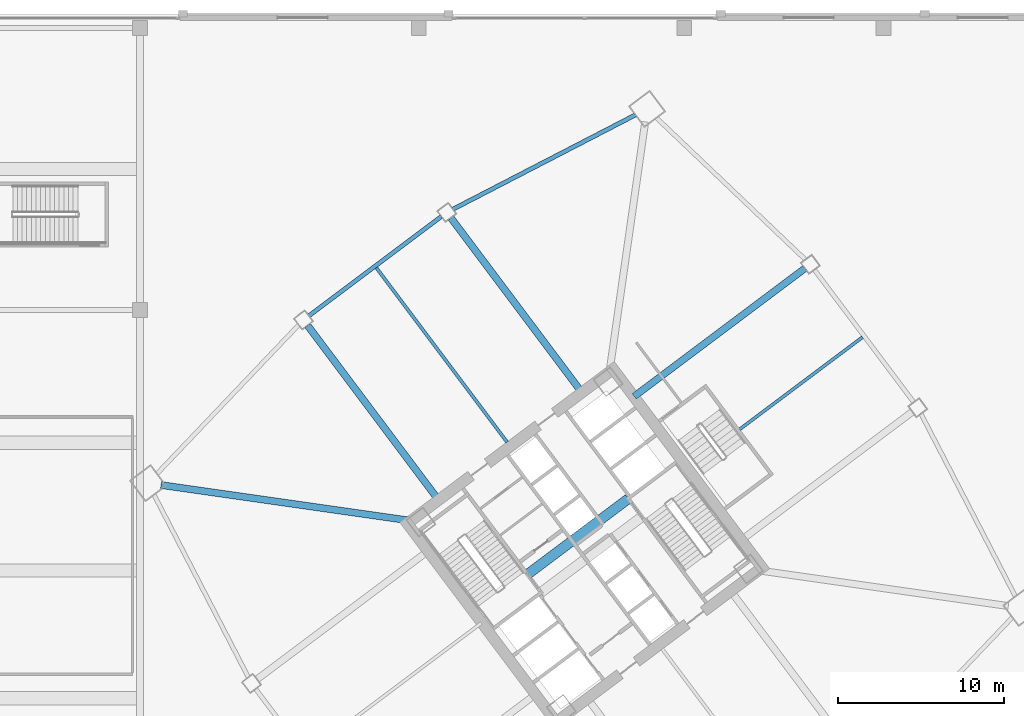
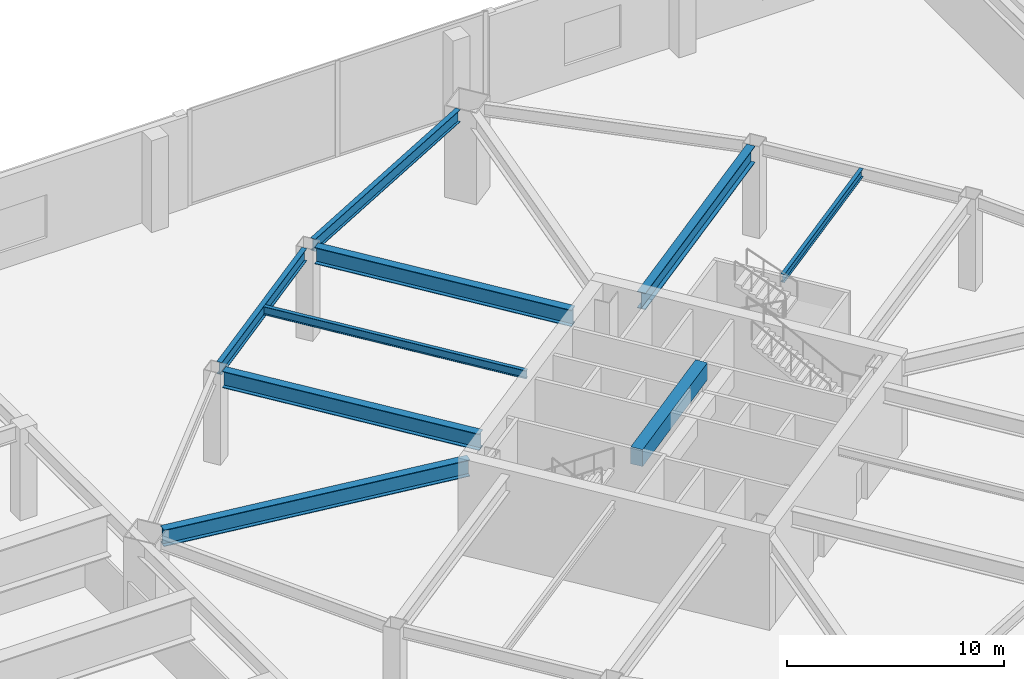
# One storey, part 24 of 48: 9 beams.
"""IFC4 building model written with IfcOpenShell, lengths in metres."""

from ifc_helpers import new_model, si_unit, direction, frame, origin, origin_2d, place, context, subcontext, project, spatial, rectangle, i_section, extrude, material, material_profile, profile_set, type_object, element, save


model = new_model("IFC4")

# Units and contexts
model_context = context("Model", 3, precision=1e-05, world=origin(), true_north=direction((0.0, 1.0)))
body_context = subcontext(model_context, "Body", "Model", "MODEL_VIEW")
ifc_project = project(units=[si_unit("LENGTHUNIT", "METRE"), si_unit("AREAUNIT", "SQUARE_METRE"), si_unit("VOLUMEUNIT", "CUBIC_METRE"), si_unit("PLANEANGLEUNIT", "RADIAN"), si_unit("MASSUNIT", "GRAM", prefix="KILO")], contexts=[model_context])

# Site, building, storey
site_placement = place(None, origin())
site = spatial("IfcSite", under=ifc_project, at=site_placement, CompositionType="ELEMENT")
building_placement = place(site_placement, origin())
building = spatial("IfcBuilding", under=site, at=building_placement, Name="Tashvorn Skyway Center", CompositionType="ELEMENT")
storey_placement = place(building_placement, frame((0.0, 0.0, 10.199951171875)))
storey = spatial("IfcBuildingStorey", under=building, at=storey_placement, Name="L02", CompositionType="ELEMENT", Elevation=10.199951171875)

# Beams
ifc_material_1 = material(Name="Steel ASTM A913 Grade 65", Category="steel")
ifc_material_profile_1 = material_profile(ifc_material_1, i_section(OverallWidth=0.4189453125, OverallDepth=0.927001953125, WebThickness=0.019287109375, FlangeThickness=0.031982421875, at=origin_2d()), Name="W36X231")
ifc_profile_set_1 = profile_set([ifc_material_profile_1], Name="Steel ASTM A913 Grade 65")
beam_type_1 = type_object("IfcBeamType", Name="BM-BEAM-W36X231", PredefinedType="BEAM", material=ifc_profile_set_1)
beam_1_placement = place(storey_placement, frame((88.467041015625, 35.6474609375, 4.676513671875), z_axis=(0.989950458816, -0.141414599991, 0.0), x_axis=(0.141414599991, 0.989950458816, 0.0)))
element("IfcBeam", 1, at=beam_1_placement, inside=storey, type_object=beam_type_1, Name="Tower 2 L02 Primary Floor Girder MC-NW", PredefinedType="BEAM", context=body_context, shape_type="SweptSolid", body=[
    extrude(i_section(OverallWidth=0.4189453125, OverallDepth=0.927001953125, WebThickness=0.019287109375, FlangeThickness=0.031982421875, at=origin_2d()), origin(), (0.0, 0.0, 1.0), 15.177001953125),
])
beam_2_placement = place(storey_placement, frame((127.263916015625, 48.697998046875, 4.676513671875), z_axis=(-0.800002279907, -0.599996960112, 0.0), x_axis=(0.599996960112, -0.800002279907, 0.0)))
element("IfcBeam", 2, at=beam_2_placement, inside=storey, type_object=beam_type_1, Name="Tower 2 L02 Primary Floor Girder FC-E2", PredefinedType="BEAM", context=body_context, shape_type="SweptSolid", body=[
    extrude(i_section(OverallWidth=0.4189453125, OverallDepth=0.927001953125, WebThickness=0.019287109375, FlangeThickness=0.031982421875, at=origin_2d()), origin(), (0.0, 0.0, 1.0), 12.85009765625),
])
beam_3_placement = place(storey_placement, frame((105.94189453125, 51.743896484375, 4.676513671875), z_axis=(0.600018239213, -0.799986320265, 0.0), x_axis=(0.799986320265, 0.600018239213, 0.0)))
element("IfcBeam", 3, at=beam_3_placement, inside=storey, type_object=beam_type_1, Name="Tower 2 L02 Primary Floor Girder FC-N1", PredefinedType="BEAM", context=body_context, shape_type="SweptSolid", body=[
    extrude(i_section(OverallWidth=0.4189453125, OverallDepth=0.927001953125, WebThickness=0.019287109375, FlangeThickness=0.031982421875, at=origin_2d()), origin(), (0.0, 0.0, 1.0), 12.849853515625),
])
beam_4_placement = place(storey_placement, frame((97.302001953125, 45.263916015625, 4.676513671875), z_axis=(0.599996960112, -0.800002279907, 0.0), x_axis=(0.800002279907, 0.599996960112, 0.0)))
element("IfcBeam", 4, at=beam_4_placement, inside=storey, type_object=beam_type_1, Name="Tower 2 L02 Primary Floor Girder FC-N2", PredefinedType="BEAM", context=body_context, shape_type="SweptSolid", body=[
    extrude(i_section(OverallWidth=0.4189453125, OverallDepth=0.927001953125, WebThickness=0.019287109375, FlangeThickness=0.031982421875, at=origin_2d()), origin(), (0.0, 0.0, 1.0), 12.85009765625),
])
ifc_material_2 = material(Name="Steel ASTM A992 Grade 50", Category="steel")
ifc_material_profile_2 = material_profile(ifc_material_2, i_section(OverallWidth=0.19091796875, OverallDepth=0.4599609375, WebThickness=0.010009765625, FlangeThickness=0.01611328125, at=origin_2d()), Name="W18X55")
ifc_profile_set_2 = profile_set([ifc_material_profile_2], Name="Steel ASTM A992 Grade 50")
beam_type_2 = type_object("IfcBeamType", Name="BM-JOIST-W18X55", PredefinedType="JOIST", material=ifc_profile_set_2)
beam_5_placement = place(storey_placement, frame((109.325927734375, 38.23193359375, 4.91015625), z_axis=(-0.600002972791, 0.799997770398, 0.0), x_axis=(-0.799997770398, -0.600002972791, 0.0)))
element("IfcBeam", 5, at=beam_5_placement, inside=storey, type_object=beam_type_2, Name="Tower 2 L02 Secondary Composite Joist JN", PredefinedType="JOIST", context=body_context, shape_type="SweptSolid", body=[
    extrude(i_section(OverallWidth=0.19091796875, OverallDepth=0.4599609375, WebThickness=0.010009765625, FlangeThickness=0.01611328125, at=origin_2d()), origin(), (0.0, 0.0, 1.0), 13.139892578125),
])
beam_6_placement = place(storey_placement, frame((123.3359375, 39.001953125, 4.91015625), z_axis=(0.799990508532, 0.600012655082, 0.0), x_axis=(-0.600012655082, 0.799990508532, 0.0)))
element("IfcBeam", 6, at=beam_6_placement, inside=storey, type_object=beam_type_2, Name="Tower 2 L02 Secondary Composite Joist JE", PredefinedType="JOIST", context=body_context, shape_type="SweptSolid", body=[
    extrude(i_section(OverallWidth=0.19091796875, OverallDepth=0.4599609375, WebThickness=0.010009765625, FlangeThickness=0.01611328125, at=origin_2d()), origin(), (0.0, 0.0, 1.0), 9.260009765625),
])
ifc_material_3 = material(Name="Concrete C60/75", Category="concrete")
ifc_material_profile_3 = material_profile(ifc_material_3, rectangle(XDim=0.60009765625, YDim=0.949951171875, at=origin_2d()), Name="RCB600x950")
ifc_profile_set_3 = profile_set([ifc_material_profile_3], Name="Concrete C60/75")
beam_type_3 = type_object("IfcBeamType", Name="BM-LINTEL-RCB600x950", PredefinedType="LINTEL", material=ifc_profile_set_3)
beam_7_placement = place(storey_placement, frame((110.552001953125, 30.263916015625, 4.6650390625), z_axis=(0.8, 0.6, 0.0), x_axis=(-0.6, 0.8, 0.0)))
element("IfcBeam", 7, at=beam_7_placement, inside=storey, type_object=beam_type_3, Name="Tower 2 L02 Core Coupling Beam CN", PredefinedType="LINTEL", context=body_context, shape_type="SweptSolid", body=[
    extrude(rectangle(XDim=0.60009765625, YDim=0.949951171875, at=origin_2d()), origin(), (0.0, 0.0, 1.0), 7.60009765625),
])
ifc_material_profile_4 = material_profile(ifc_material_2, i_section(OverallWidth=0.256103515625, OverallDepth=0.693115234375, WebThickness=0.014404296875, FlangeThickness=0.023681640625, at=origin_2d()), Name="W27X114")
ifc_profile_set_4 = profile_set([ifc_material_profile_4], Name="Steel ASTM A992 Grade 50")
beam_type_4 = type_object("IfcBeamType", Name="BM-SPANDREL-W27X114", PredefinedType="SPANDREL", material=ifc_profile_set_4)
beam_8_placement = place(storey_placement, frame((117.0537109375, 57.954833984375, 4.79345703125), z_axis=(-0.888315637339, -0.459233413919, 0.0), x_axis=(0.459233413919, -0.888315637339, 0.0)))
element("IfcBeam", 8, at=beam_8_placement, inside=storey, type_object=beam_type_4, Name="Tower 2 L02 Spandrel Beam 07", PredefinedType="SPANDREL", context=body_context, shape_type="SweptSolid", body=[
    extrude(i_section(OverallWidth=0.256103515625, OverallDepth=0.693115234375, WebThickness=0.014404296875, FlangeThickness=0.023681640625, at=origin_2d()), origin(), (0.0, 0.0, 1.0), 12.37255859375),
])
beam_9_placement = place(storey_placement, frame((105.35400390625, 51.827880859375, 4.79345703125), z_axis=(-0.800008824351, -0.599988234018, 0.0), x_axis=(0.599988234018, -0.800008824351, 0.0)))
element("IfcBeam", 9, at=beam_9_placement, inside=storey, type_object=beam_type_4, Name="Tower 2 L02 Spandrel Beam 08", PredefinedType="SPANDREL", context=body_context, shape_type="SweptSolid", body=[
    extrude(i_section(OverallWidth=0.256103515625, OverallDepth=0.693115234375, WebThickness=0.014404296875, FlangeThickness=0.023681640625, at=origin_2d()), origin(), (0.0, 0.0, 1.0), 9.9599609375),
])

save(model, "model.ifc")
